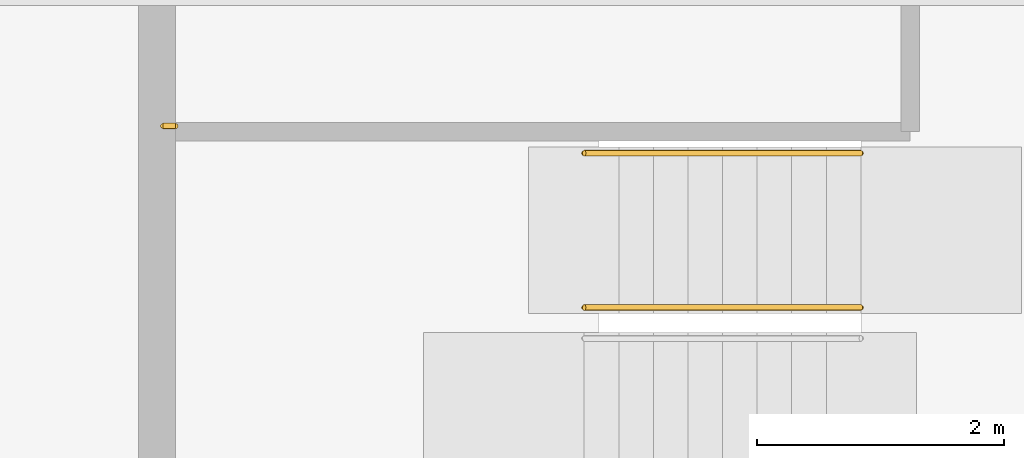
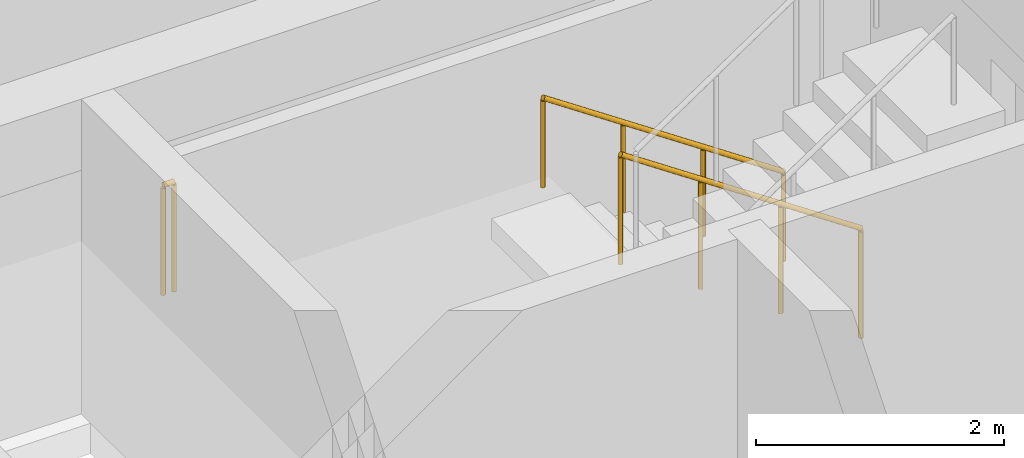
# One storey, part 11 of 12: 3 railings.
"""IFC4 building model written with IfcOpenShell, lengths in metres."""

from ifc_helpers import new_model, si_unit, direction, frame, origin, origin_2d, place, context, subcontext, project, spatial, circle, extrude, material, type_object, element, save


model = new_model("IFC4")

# Units and contexts
model_context = context("Model", 3, precision=1e-05, world=origin(), true_north=direction((0.0, 1.0)))
body_context = subcontext(model_context, "Body", "Model", "MODEL_VIEW")
ifc_project = project(units=[si_unit("LENGTHUNIT", "METRE"), si_unit("AREAUNIT", "SQUARE_METRE"), si_unit("VOLUMEUNIT", "CUBIC_METRE"), si_unit("PLANEANGLEUNIT", "RADIAN"), si_unit("MASSUNIT", "GRAM", prefix="KILO")], contexts=[model_context])

# Site, building, storey
site_placement = place(None, origin())
site = spatial("IfcSite", under=ifc_project, at=site_placement, CompositionType="ELEMENT")
building_placement = place(site_placement, origin())
building = spatial("IfcBuilding", under=site, at=building_placement, Name="Windrow Commons", CompositionType="ELEMENT")
storey_placement = place(building_placement, frame((0.0, 0.0, 227.0)))
storey = spatial("IfcBuildingStorey", under=building, at=storey_placement, Name="L62", CompositionType="ELEMENT", Elevation=227.0)

# Railings
ifc_material_1 = material(Name="Steel S355", Category="steel")
railing_type_1 = type_object("IfcRailingType", Name="Core stair guard 1100", PredefinedType="GUARDRAIL", material=ifc_material_1)
railing_1_placement = place(storey_placement, frame((70.5, 62.355, 0.1889)))
element("IfcRailing", 1, at=railing_1_placement, inside=storey, type_object=railing_type_1, Name="L62 ST-A2 stair guard 1", PredefinedType="GUARDRAIL", context=body_context, shape_type="SweptSolid", body=[
    extrude(circle(Radius=0.024, at=origin_2d()), frame((0.0, 0.0, 1.076), z_axis=(-0.8290030985, 0.0, 0.5592440099), x_axis=(0.0, -1.0, 0.0)), (0.0, 0.0, 1.0), 2.702),
    extrude(circle(Radius=0.021, at=origin_2d()), origin(), (0.0, 0.0, 1.0), 1.052),
    extrude(circle(Radius=0.021, at=origin_2d()), frame((-0.7467, 0.0, 0.5037)), (0.0, 0.0, 1.0), 1.052),
    extrude(circle(Radius=0.021, at=origin_2d()), frame((-1.4933, 0.0, 1.0074)), (0.0, 0.0, 1.0), 1.052),
    extrude(circle(Radius=0.021, at=origin_2d()), frame((-2.24, 0.0, 1.5111)), (0.0, 0.0, 1.0), 1.052),
])
railing_2_placement = place(storey_placement, frame((64.95, 63.825, 1.7)))
element("IfcRailing", 2, at=railing_2_placement, inside=storey, type_object=railing_type_1, Name="L62 ST-A2 stair guard 3", PredefinedType="GUARDRAIL", context=body_context, shape_type="SweptSolid", body=[
    extrude(circle(Radius=0.024, at=origin_2d()), frame((0.0, 0.0, 1.076), z_axis=(-1.0, 0.0, 0.0), x_axis=(0.0, -1.0, 0.0)), (0.0, 0.0, 1.0), 0.1),
    extrude(circle(Radius=0.021, at=origin_2d()), origin(), (0.0, 0.0, 1.0), 1.052),
    extrude(circle(Radius=0.021, at=origin_2d()), frame((-0.1, 0.0, 0.0)), (0.0, 0.0, 1.0), 1.052),
])
ifc_material_2 = material(Name="Steel S355", Category="steel")
railing_type_2 = type_object("IfcRailingType", Name="Core stair handrail 900", PredefinedType="HANDRAIL", material=ifc_material_2)
railing_3_placement = place(storey_placement, frame((70.5, 63.605, 0.1889)))
element("IfcRailing", 3, at=railing_3_placement, inside=storey, type_object=railing_type_2, Name="L62 ST-A2 stair handrail 1", PredefinedType="HANDRAIL", context=body_context, shape_type="SweptSolid", body=[
    extrude(circle(Radius=0.024, at=origin_2d()), frame((0.0, 0.0, 0.876), z_axis=(-0.8290030985, 0.0, 0.5592440099), x_axis=(0.0, -1.0, 0.0)), (0.0, 0.0, 1.0), 2.702),
    extrude(circle(Radius=0.021, at=origin_2d()), origin(), (0.0, 0.0, 1.0), 0.852),
    extrude(circle(Radius=0.021, at=origin_2d()), frame((-0.7467, 0.0, 0.5037)), (0.0, 0.0, 1.0), 0.852),
    extrude(circle(Radius=0.021, at=origin_2d()), frame((-1.4933, 0.0, 1.0074)), (0.0, 0.0, 1.0), 0.852),
    extrude(circle(Radius=0.021, at=origin_2d()), frame((-2.24, 0.0, 1.5111)), (0.0, 0.0, 1.0), 0.852),
])

save(model, "model.ifc")
